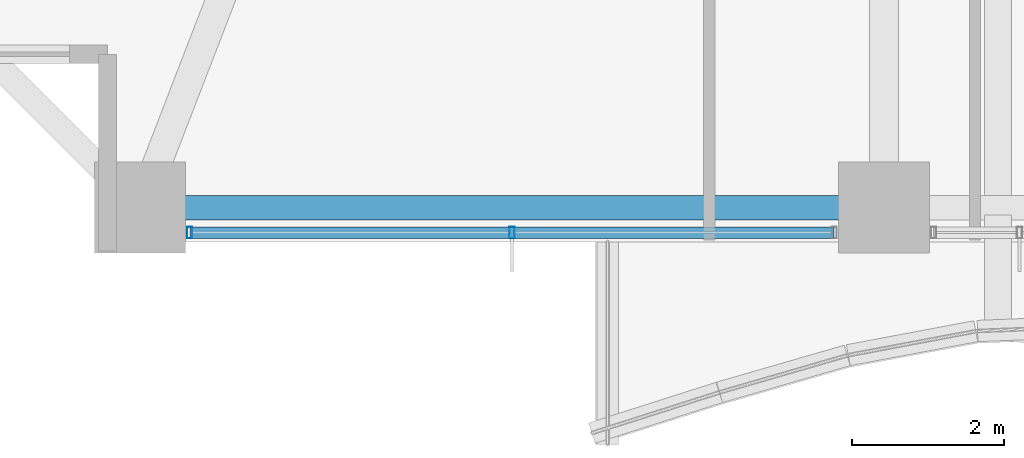
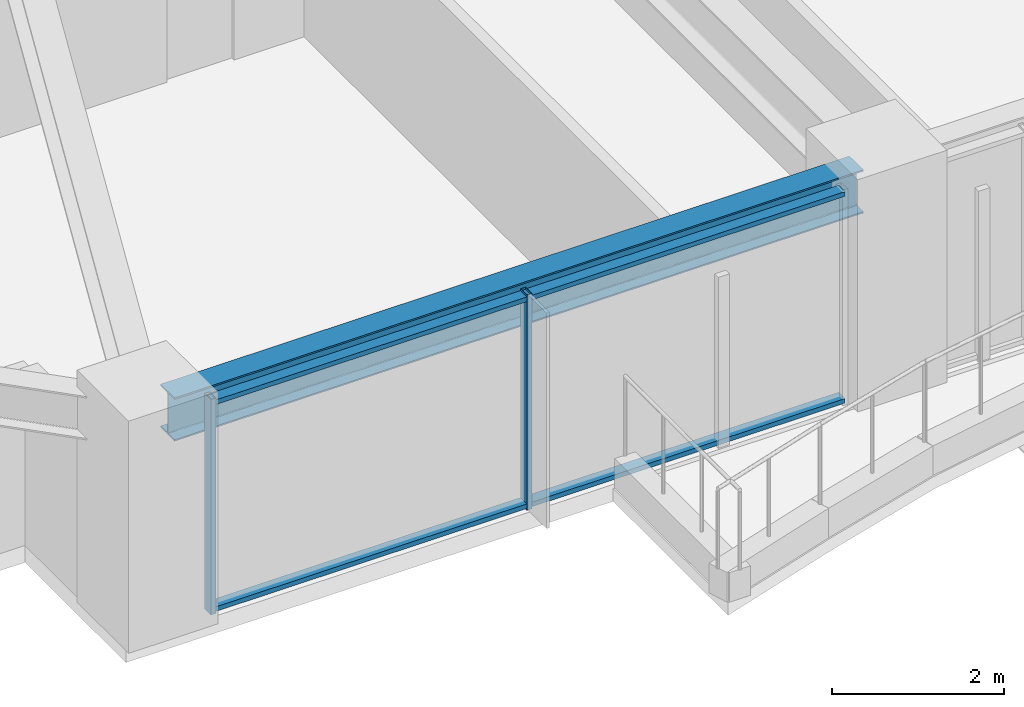
# One storey, part 2 of 38: 4 members, 1 beam, 1 element without a shape of its own.
"""IFC4 building model written with IfcOpenShell, lengths in metres."""

import ifcopenshell
import ifcopenshell.guid

model = None  # the IFC model being written
_history = None  # IfcOwnerHistory: only IFC2X3 demands one
_inside = {}  # id of a spatial element -> (the spatial element, [elements in it])
_under = {}  # id of a project, library or spatial element -> (it, [spatial elements below it])
_declared = {}  # id of a project -> (the project, [libraries it declares])
_typed = {}  # id of a type object -> (the type object, [elements of that type])
_made_of = {}  # id of a material, layer set ... -> (it, [elements and type objects made of it])


def new_model(schema):
    """Start an empty IFC model of exactly this schema.

    Asked for "IFC4X3", IfcOpenShell would pick the latest addendum, in which some entities
    have other attributes; the version numbers below select the first issue.
    IFC2X3 requires an IfcOwnerHistory on every rooted entity: one is made here for all.
    """
    global model, _history
    if schema == "IFC4X3":
        model = ifcopenshell.file(schema_version=(4, 3, 0, 0))
    else:
        model = ifcopenshell.file(schema=schema)
    _inside.clear()
    _under.clear()
    _declared.clear()
    _typed.clear()
    _made_of.clear()
    _history = None
    if model.schema == "IFC2X3":
        org = make("IfcOrganization", Name="unknown")
        user = make(
            "IfcPersonAndOrganization",
            ThePerson=make("IfcPerson", FamilyName="unknown"),
            TheOrganization=org,
        )
        app = make(
            "IfcApplication",
            ApplicationDeveloper=org,
            Version="unknown",
            ApplicationFullName="unknown",
            ApplicationIdentifier="unknown",
        )
        _history = make(
            "IfcOwnerHistory",
            OwningUser=user,
            OwningApplication=app,
            ChangeAction="ADDED",
            CreationDate=0,
        )
    return model


def make(cls, **values):
    """One entity of the class cls with the attributes given. An attribute that is None is left unset."""
    return model.create_entity(
        cls, **{name: value for name, value in values.items() if value is not None}
    )


def rooted(cls, **values):
    """An entity with a GlobalId (a new one), such as an element, a storey or a relation."""
    return make(cls, GlobalId=ifcopenshell.guid.new(), OwnerHistory=_history, **values)


def si_unit(unit_type, name, prefix=None):
    """IfcSIUnit, for example si_unit("LENGTHUNIT", "METRE", prefix="MILLI")."""
    return make("IfcSIUnit", UnitType=unit_type, Prefix=prefix, Name=name)


def assignment(units):
    """IfcUnitAssignment: the units of a project."""
    return None if units is None else make("IfcUnitAssignment", Units=units)


def point(xyz):
    """IfcCartesianPoint."""
    return None if xyz is None else make("IfcCartesianPoint", Coordinates=xyz)


def direction(xyz):
    """IfcDirection."""
    return None if xyz is None else make("IfcDirection", DirectionRatios=xyz)


def frame(location, z_axis=None, x_axis=None):
    """IfcAxis2Placement3D, a coordinate frame: its origin and axes. An axis left out is left unset."""
    return make(
        "IfcAxis2Placement3D",
        Location=point(location),
        Axis=direction(z_axis),
        RefDirection=direction(x_axis),
    )


def frame_2d(location, x_axis=None):
    """IfcAxis2Placement2D, a coordinate frame in the plane: its origin and x axis."""
    return make(
        "IfcAxis2Placement2D", Location=point(location), RefDirection=direction(x_axis)
    )


def origin():
    """The frame at (0, 0, 0) with its axes left unset."""
    return frame((0.0, 0.0, 0.0))


def origin_2d():
    """The frame at (0, 0) in the plane with its x axis left unset."""
    return frame_2d((0.0, 0.0))


def place(relative_to, where):
    """IfcLocalPlacement: puts the frame where relative to a parent placement (None: the world)."""
    return make(
        "IfcLocalPlacement", PlacementRelTo=relative_to, RelativePlacement=where
    )


def context(
    kind, dimensions, precision=None, world=None, true_north=None, identifier=None
):
    """IfcGeometricRepresentationContext, for example the 3D "Model" context."""
    return make(
        "IfcGeometricRepresentationContext",
        ContextIdentifier=identifier,
        ContextType=kind,
        CoordinateSpaceDimension=dimensions,
        Precision=precision,
        WorldCoordinateSystem=world,
        TrueNorth=true_north,
    )


def subcontext(parent, identifier, kind, view, scale=None):
    """IfcGeometricRepresentationSubContext, for example "Body" below "Model"."""
    return make(
        "IfcGeometricRepresentationSubContext",
        ContextIdentifier=identifier,
        ContextType=kind,
        ParentContext=parent,
        TargetScale=scale,
        TargetView=view,
    )


def project(units=None, contexts=None):
    """IfcProject with its units and contexts."""
    return rooted(
        "IfcProject",
        Name="project",
        RepresentationContexts=contexts,
        UnitsInContext=assignment(units),
    )


def spatial(cls, under=None, at=None, **own):
    """A site, building, storey or space (cls), placed at a placement, below another one or the project."""
    s = rooted(cls, ObjectPlacement=at, **own)
    if under is not None:
        _under.setdefault(under.id(), (under, []))[1].append(s)
    return s


def profile(cls, at=None, kind="AREA", **sizes):
    """A parametric profile (cls). Its sizes go by their IFC names, for example OverallWidth=200.0."""
    return make(cls, ProfileType=kind, Position=at, **sizes)


def hollow_rectangle(**sizes):
    """IfcRectangleHollowProfileDef."""
    return profile("IfcRectangleHollowProfileDef", **sizes)


def i_section(**sizes):
    """IfcIShapeProfileDef."""
    return profile("IfcIShapeProfileDef", **sizes)


def extrude(swept, where, along, depth):
    """IfcExtrudedAreaSolid: the profile swept, set in the frame where, extruded along a direction by depth."""
    return make(
        "IfcExtrudedAreaSolid",
        SweptArea=swept,
        Position=where,
        ExtrudedDirection=direction(along),
        Depth=depth,
    )


def shape(context_of_items, identifier, shape_type, items):
    """IfcShapeRepresentation: the items that make up one representation, for example the "Body"."""
    return make(
        "IfcShapeRepresentation",
        ContextOfItems=context_of_items,
        RepresentationIdentifier=identifier,
        RepresentationType=shape_type,
        Items=items,
    )


def material(Name=None, Category=None):
    """IfcMaterial."""
    return make("IfcMaterial", Name=Name, Category=Category)


def material_profile(
    of_material, cross_section, Name=None, Category=None, Priority=None
):
    """IfcMaterialProfile: a cross section and its material."""
    return make(
        "IfcMaterialProfile",
        Name=Name,
        Material=of_material,
        Profile=cross_section,
        Priority=Priority,
        Category=Category,
    )


def profile_set(profiles, Name=None, composite=None):
    """IfcMaterialProfileSet."""
    return make(
        "IfcMaterialProfileSet",
        Name=Name,
        MaterialProfiles=profiles,
        CompositeProfile=composite,
    )


def made_of(thing, what):
    """Note that an element or type object is made of a material, layer set ...; save() writes the relation."""
    if what is not None:
        _made_of.setdefault(what.id(), (what, []))[1].append(thing)
    return thing


def type_object(cls, material=None, **own):
    """A type object (cls), such as IfcWallType, which elements share."""
    return made_of(rooted(cls, **own), material)


def element(
    cls,
    number,
    at=None,
    inside=None,
    cuts=None,
    type_object=None,
    material=None,
    context=None,
    identifier="Body",
    shape_type=None,
    held_by="IfcProductDefinitionShape",
    body=None,
    shapes=None,
    **own,
):
    """One element of the class cls, such as IfcWall. Its Tag is "e" and its number.

    at: its placement. inside: the storey or other place that contains it. cuts: it is an
    opening in that element (IfcRelVoidsElement). A single representation is given by context,
    identifier, shape_type and body (its items); several are given by shapes. held_by: the class
    of the entity that holds the representations. save() writes the other relations.
    """
    e = rooted(cls, Tag="e%d" % number, ObjectPlacement=at, **own)
    if body is not None:
        shapes = [shape(context, identifier, shape_type, body)]
    if shapes is not None:
        e.Representation = make(held_by, Representations=shapes)
    if inside is not None:
        _inside.setdefault(inside.id(), (inside, []))[1].append(e)
    if cuts is not None:
        rooted(
            "IfcRelVoidsElement", RelatingBuildingElement=cuts, RelatedOpeningElement=e
        )
    if type_object is not None:
        _typed.setdefault(type_object.id(), (type_object, []))[1].append(e)
    return made_of(e, material)


def aggregate(whole, parts):
    """IfcRelAggregates: a whole, such as a stair, and the parts it consists of."""
    return rooted("IfcRelAggregates", RelatingObject=whole, RelatedObjects=parts)


def save(model, path):
    """Write the relations noted so far, then the file.

    IfcRelAggregates (storeys below a building ...), IfcRelContainedInSpatialStructure (elements
    in a storey), IfcRelDefinesByType, IfcRelAssociatesMaterial and IfcRelDeclares: one each for
    every whole, place, type object, material and project.
    """
    for whole, parts in _under.values():
        aggregate(whole, parts)
    for where, things in _inside.values():
        rooted(
            "IfcRelContainedInSpatialStructure",
            RelatedElements=things,
            RelatingStructure=where,
        )
    for kind, things in _typed.values():
        rooted("IfcRelDefinesByType", RelatedObjects=things, RelatingType=kind)
    for what, things in _made_of.values():
        rooted("IfcRelAssociatesMaterial", RelatedObjects=things, RelatingMaterial=what)
    for by, libraries in _declared.values():
        rooted("IfcRelDeclares", RelatingContext=by, RelatedDefinitions=libraries)
    model.write(path)


model = new_model("IFC4")

# Units and contexts
model_context = context("Model", 3, precision=1e-05, world=origin(), true_north=direction((0.0, 1.0)))
body_context = subcontext(model_context, "Body", "Model", "MODEL_VIEW")
ifc_project = project(units=[si_unit("LENGTHUNIT", "METRE"), si_unit("AREAUNIT", "SQUARE_METRE"), si_unit("VOLUMEUNIT", "CUBIC_METRE"), si_unit("PLANEANGLEUNIT", "RADIAN"), si_unit("MASSUNIT", "GRAM", prefix="KILO")], contexts=[model_context])

# Site, building, storey
site_placement = place(None, origin())
site = spatial("IfcSite", under=ifc_project, at=site_placement, CompositionType="ELEMENT")
building_placement = place(site_placement, origin())
building = spatial("IfcBuilding", under=site, at=building_placement, Name="Kolvaren Belvedere", CompositionType="ELEMENT")
storey_placement = place(building_placement, frame((0.0, 0.0, 27.10009765625)))
storey = spatial("IfcBuildingStorey", under=building, at=storey_placement, Name="L07", CompositionType="ELEMENT", Elevation=27.10009765625)

# Beam
ifc_material_1 = material(Name="Structural steel ASTM A992 Grade 50", Category="steel")
ifc_material_profile_1 = material_profile(ifc_material_1, i_section(OverallWidth=0.324951171875, OverallDepth=0.615966796875, WebThickness=0.013916015625, FlangeThickness=0.021484375, FilletRadius=0.02001953125, at=origin_2d()), Name="W24X117")
ifc_profile_set_1 = profile_set([ifc_material_profile_1], Name="Structural steel ASTM A992 Grade 50")
beam_type = type_object("IfcBeamType", Name="BM-SPAN-W24X117", PredefinedType="SPANDREL", material=ifc_profile_set_1)
beam_placement = place(storey_placement, frame((-14.1298828125, -21.550048828125, 2.751953125), z_axis=(1.0, 0.0, 0.0), x_axis=(0.0, 1.0, 0.0)))
element("IfcBeam", 1, at=beam_placement, inside=storey, type_object=beam_type, Name="L07 Perimeter Spandrel S1-S2", PredefinedType="SPANDREL", context=body_context, shape_type="SweptSolid", body=[
    extrude(i_section(OverallWidth=0.324951171875, OverallDepth=0.615966796875, WebThickness=0.013916015625, FlangeThickness=0.021484375, FilletRadius=0.02001953125, at=origin_2d()), origin(), (0.0, 0.0, 1.0), 9.259765625),
])

# Curtain wall, members
ifc_material_2 = material(Name="Anodised pale-metal aluminium AA 6063-T6", Category="aluminium")
curtain_wall_type = type_object("IfcCurtainWallType", Name="CW-Z1-LOW", PredefinedType="NOTDEFINED", material=ifc_material_2)
curtain_wall_placement = place(storey_placement, origin())
curtain_wall = element("IfcCurtainWall", 2, at=curtain_wall_placement, inside=storey, type_object=curtain_wall_type, Name="L07 Unitised Curtain Wall FCW-L07-S2-B2", PredefinedType="NOTDEFINED")
ifc_material_3 = material(Name="Anodised pale-metal aluminium AA 6063-T6", Category="aluminium")
ifc_material_profile_2 = material_profile(ifc_material_3, hollow_rectangle(XDim=0.070068359375, YDim=0.14990234375, WallThickness=0.004150390625, at=origin_2d()), Name="ALU-MUL-150X70")
ifc_profile_set_2 = profile_set([ifc_material_profile_2], Name="Anodised pale-metal aluminium AA 6063-T6")
member_type_1 = type_object("IfcMemberType", Name="CW-MUL-150", PredefinedType="MULLION", material=ifc_profile_set_2)
member_1_placement = place(storey_placement, frame((-9.5, -21.8798828125, 0.0), z_axis=(0.0, 0.0, 1.0), x_axis=(1.0, 0.0, 0.0)))
member_1 = element("IfcMember", 3, at=member_1_placement, type_object=member_type_1, Name="FCW-L07-S2-B2 Unitised Mullion 2", PredefinedType="MULLION", context=body_context, shape_type="SweptSolid", body=[
    extrude(hollow_rectangle(XDim=0.070068359375, YDim=0.14990234375, WallThickness=0.004150390625, at=origin_2d()), origin(), (0.0, 0.0, 1.0), 3.059814453125),
])
member_2_placement = place(storey_placement, frame((-13.7451171875, -21.8798828125, 0.0), z_axis=(0.0, 0.0, 1.0), x_axis=(1.0, 0.0, 0.0)))
member_2 = element("IfcMember", 4, at=member_2_placement, type_object=member_type_1, Name="FCW-L07-S2-B2 Unitised Mullion 3", PredefinedType="MULLION", context=body_context, shape_type="SweptSolid", body=[
    extrude(hollow_rectangle(XDim=0.070068359375, YDim=0.14990234375, WallThickness=0.004150390625, at=origin_2d()), origin(), (0.0, 0.0, 1.0), 3.059814453125),
])
ifc_material_4 = material(Name="Anodised pale-metal aluminium AA 6063-T6", Category="aluminium")
ifc_material_profile_3 = material_profile(ifc_material_4, hollow_rectangle(XDim=0.06494140625, YDim=0.14990234375, WallThickness=0.00390625, at=origin_2d()), Name="ALU-TRN-150X65")
ifc_profile_set_3 = profile_set([ifc_material_profile_3], Name="Anodised pale-metal aluminium AA 6063-T6")
member_type_2 = type_object("IfcMemberType", Name="CW-TRN-150", PredefinedType="USERDEFINED", material=ifc_profile_set_3)
member_3_placement = place(storey_placement, frame((-5.2548828125, -21.8798828125, 0.059814453125), z_axis=(-1.0, 0.0, 0.0), x_axis=(0.0, 0.0, 1.0)))
member_3 = element("IfcMember", 5, at=member_3_placement, type_object=member_type_2, Name="FCW-L07-S2-B2 Sill Transom", ObjectType="TRANSOM", PredefinedType="USERDEFINED", context=body_context, shape_type="SweptSolid", body=[
    extrude(hollow_rectangle(XDim=0.06494140625, YDim=0.14990234375, WallThickness=0.00390625, at=origin_2d()), origin(), (0.0, 0.0, 1.0), 8.490234375),
])
member_4_placement = place(storey_placement, frame((-5.2548828125, -21.8798828125, 3.0), z_axis=(-1.0, 0.0, 0.0), x_axis=(0.0, 0.0, 1.0)))
member_4 = element("IfcMember", 6, at=member_4_placement, type_object=member_type_2, Name="FCW-L07-S2-B2 Head Transom", ObjectType="TRANSOM", PredefinedType="USERDEFINED", context=body_context, shape_type="SweptSolid", body=[
    extrude(hollow_rectangle(XDim=0.06494140625, YDim=0.14990234375, WallThickness=0.00390625, at=origin_2d()), origin(), (0.0, 0.0, 1.0), 8.490234375),
])
aggregate(curtain_wall, [member_1, member_2, member_3, member_4])

save(model, "model.ifc")
